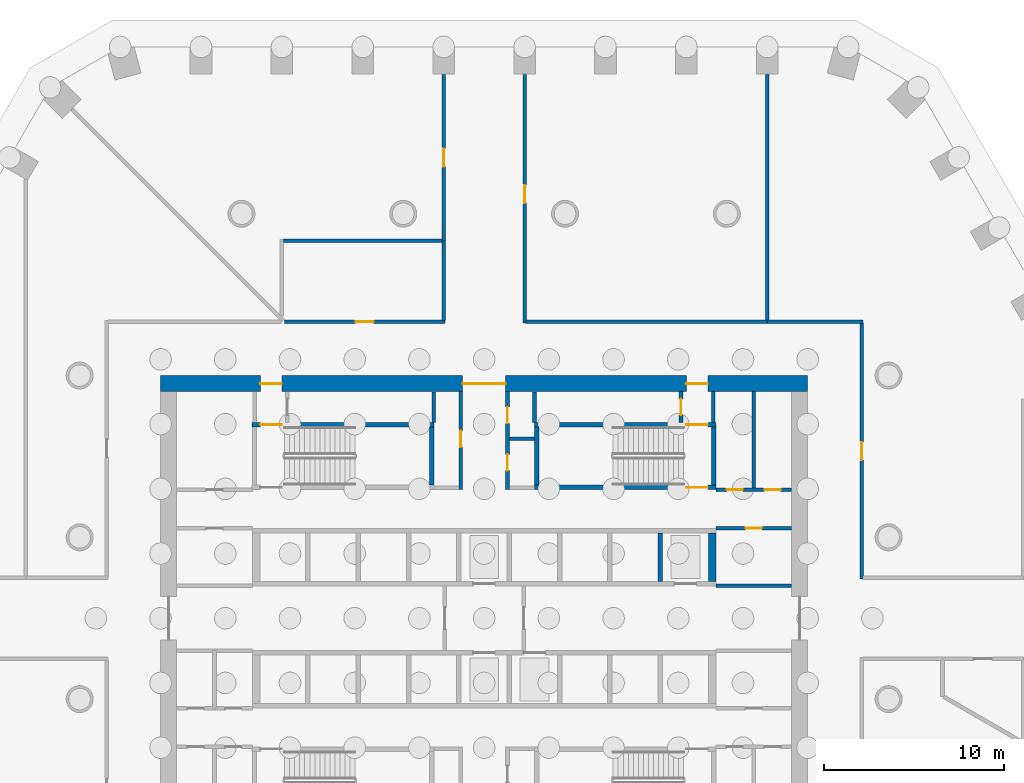
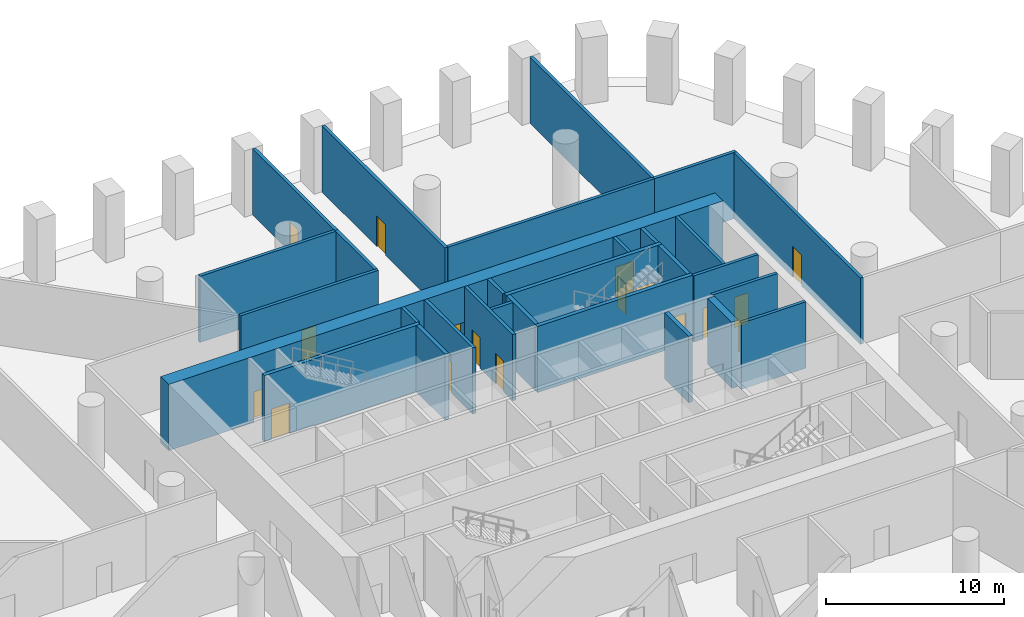
# One storey, part 6 of 9: 29 walls, 17 doors, 17 openings.
"""IFC4 building model written with IfcOpenShell, lengths in metres."""

from ifc_helpers import new_model, si_unit, direction, frame, frame_2d, origin, place, context, subcontext, project, spatial, polyline, rectangle, outline, extrude, material, layer, layer_set, type_object, element, fill, save


model = new_model("IFC4")

# Units and contexts
model_context = context("Model", 3, precision=1e-05, world=origin(), true_north=direction((0.0, 1.0)))
body_context = subcontext(model_context, "Body", "Model", "MODEL_VIEW")
ifc_project = project(units=[si_unit("LENGTHUNIT", "METRE"), si_unit("AREAUNIT", "SQUARE_METRE"), si_unit("VOLUMEUNIT", "CUBIC_METRE"), si_unit("PLANEANGLEUNIT", "RADIAN"), si_unit("MASSUNIT", "GRAM", prefix="KILO")], contexts=[model_context])

# Site, building, storey
site_placement = place(None, origin())
site = spatial("IfcSite", under=ifc_project, at=site_placement, CompositionType="ELEMENT")
building_placement = place(site_placement, origin())
building = spatial("IfcBuilding", under=site, at=building_placement, Name="Dhurran Vertical Campus", CompositionType="ELEMENT")
storey_placement = place(building_placement, frame((0.0, 0.0, -5.0)))
storey = spatial("IfcBuildingStorey", under=building, at=storey_placement, Name="B1", CompositionType="ELEMENT", Elevation=-5.0)

# Wall
ifc_material_1 = material(Name="Concrete blockwork plant room wall, fire-rated", Category="masonry")
ifc_layer_1 = layer(ifc_material_1, 0.199951171875)
ifc_layer_set_1 = layer_set([ifc_layer_1], Name="Concrete blockwork plant room wall, fire-rated")
wall_type_1 = type_object("IfcWallType", Name="bs-PW-200 plant room wall", PredefinedType="PARTITIONING", material=ifc_layer_set_1)
wall_1_placement = place(storey_placement, frame((-2.324951171875, 21.0, 0.0), z_axis=(0.0, 0.0, 1.0), x_axis=(-1.0, 0.0, 0.0)))
element("IfcWall", 1, at=wall_1_placement, inside=storey, type_object=wall_type_1, Name="Plant wall B1-19", PredefinedType="PARTITIONING", context=body_context, shape_type="SweptSolid", body=[
    extrude(rectangle(XDim=8.85009765625, YDim=0.199951171875, at=frame_2d((4.425048828125, 0.0))), origin(), (0.0, 0.0, 1.0), 4.550048828125),
])

# Wall, opening, door
wall_2_placement = place(storey_placement, frame((-2.175048828125, 16.5, 0.0), z_axis=(0.0, 0.0, 1.0), x_axis=(-1.0, 0.0, 0.0)))
wall_2 = element("IfcWall", 2, at=wall_2_placement, inside=storey, type_object=wall_type_1, Name="Plant wall B1-21", PredefinedType="PARTITIONING", context=body_context, shape_type="SweptSolid", body=[
    extrude(rectangle(XDim=8.94189453125, YDim=0.199951171875, at=frame_2d((4.470947265625, 0.0))), origin(), (0.0, 0.0, 1.0), 4.550048828125),
])
opening_1_placement = place(wall_2_placement, frame((3.970947265625, 0.0, 0.0)))
opening_1 = element("IfcOpeningElement", 3, at=opening_1_placement, cuts=wall_2, Name="Opening BS.09", PredefinedType="OPENING", context=body_context, shape_type="SweptSolid", body=[
    extrude(rectangle(XDim=1.0, YDim=2.10009765625, at=frame_2d((0.5, 1.050048828125))), frame((0.0, 0.10986328125, 0.0), z_axis=(0.0, -1.0, 0.0), x_axis=(1.0, 0.0, 0.0)), (0.0, 0.0, 1.0), 0.219970703125),
])
ifc_material_2 = material(Name="Solid-core timber door set, fire-rated", Category="wood")
door_type_1 = type_object("IfcDoorType", Name="fl-D-1000x2100", OperationType="SINGLE_SWING_LEFT", PredefinedType="DOOR", material=ifc_material_2)
door_1_placement = place(opening_1_placement, origin())
door_1 = element("IfcDoor", 4, at=door_1_placement, inside=storey, type_object=door_type_1, Name="Door B1.09", OperationType="SINGLE_SWING_RIGHT", OverallHeight=2.10009765625, OverallWidth=1.0, PredefinedType="DOOR", context=body_context, shape_type="SweptSolid", body=[
    extrude(rectangle(XDim=1.0, YDim=2.10009765625, at=frame_2d((0.5, 1.050048828125))), frame((0.0, 0.02490234375, 0.0), z_axis=(0.0, -1.0, 0.0), x_axis=(1.0, 0.0, 0.0)), (0.0, 0.0, 1.0), 0.050048828125),
])
fill(opening_1, door_1)

# Wall
wall_3_placement = place(storey_placement, frame((-2.25, 16.574951171875, 0.0), z_axis=(0.0, 0.0, 1.0), x_axis=(0.0, 1.0, 0.0)))
element("IfcWall", 5, at=wall_3_placement, inside=storey, type_object=wall_type_1, Name="Plant wall B1-27", PredefinedType="PARTITIONING", context=body_context, shape_type="SweptSolid", body=[
    extrude(rectangle(XDim=4.425048828125, YDim=0.199951171875, at=frame_2d((2.21240234375, 0.0))), origin(), (0.0, 0.0, 1.0), 4.550048828125),
])

# Wall, opening, door
wall_4_placement = place(storey_placement, frame((-2.25, 21.0, 0.0), z_axis=(0.0, 0.0, 1.0), x_axis=(0.0, 1.0, 0.0)))
wall_4 = element("IfcWall", 6, at=wall_4_placement, inside=storey, type_object=wall_type_1, Name="Plant wall B1-28", PredefinedType="PARTITIONING", context=body_context, shape_type="SweptSolid", body=[
    extrude(rectangle(XDim=9.259765625, YDim=0.199951171875, at=frame_2d((4.6298828125, 0.0))), origin(), (0.0, 0.0, 1.0), 4.550048828125),
])
opening_2_placement = place(wall_4_placement, frame((4.1298828125, 0.0, 0.0)))
opening_2 = element("IfcOpeningElement", 7, at=opening_2_placement, cuts=wall_4, Name="Opening BS.07", PredefinedType="OPENING", context=body_context, shape_type="SweptSolid", body=[
    extrude(rectangle(XDim=1.0, YDim=2.10009765625, at=frame_2d((0.5, 1.050048828125))), frame((0.0, 0.10986328125, 0.0), z_axis=(0.0, -1.0, 0.0), x_axis=(1.0, 0.0, 0.0)), (0.0, 0.0, 1.0), 0.219970703125),
])
door_2_placement = place(opening_2_placement, origin())
door_2 = element("IfcDoor", 8, at=door_2_placement, inside=storey, type_object=door_type_1, Name="Door B1.07", OperationType="SINGLE_SWING_RIGHT", OverallHeight=2.10009765625, OverallWidth=1.0, PredefinedType="DOOR", context=body_context, shape_type="SweptSolid", body=[
    extrude(rectangle(XDim=1.0, YDim=2.10009765625, at=frame_2d((0.5, 1.050048828125))), frame((0.0, 0.02490234375, 0.0), z_axis=(0.0, -1.0, 0.0), x_axis=(1.0, 0.0, 0.0)), (0.0, 0.0, 1.0), 0.050048828125),
])
fill(opening_2, door_2)

wall_5_placement = place(storey_placement, frame((2.25, 30.259765625, 0.0), z_axis=(0.0, 0.0, 1.0), x_axis=(0.0, -1.0, 0.0)))
wall_5 = element("IfcWall", 9, at=wall_5_placement, inside=storey, type_object=wall_type_1, Name="Plant wall B1-33", PredefinedType="PARTITIONING", context=body_context, shape_type="SweptSolid", body=[
    extrude(rectangle(XDim=13.834716796875, YDim=0.199951171875, at=frame_2d((6.91748046875, 0.0))), origin(), (0.0, 0.0, 1.0), 4.550048828125),
])
opening_3_placement = place(wall_5_placement, frame((6.16748046875, 0.0, 0.0)))
opening_3 = element("IfcOpeningElement", 10, at=opening_3_placement, cuts=wall_5, Name="Opening BS.12", PredefinedType="OPENING", context=body_context, shape_type="SweptSolid", body=[
    extrude(rectangle(XDim=1.0, YDim=2.10009765625, at=frame_2d((0.5, 1.050048828125))), frame((0.0, 0.10986328125, 0.0), z_axis=(0.0, -1.0, 0.0), x_axis=(1.0, 0.0, 0.0)), (0.0, 0.0, 1.0), 0.219970703125),
])
door_3_placement = place(opening_3_placement, origin())
door_3 = element("IfcDoor", 11, at=door_3_placement, inside=storey, type_object=door_type_1, Name="Door B1.12", OperationType="SINGLE_SWING_RIGHT", OverallHeight=2.10009765625, OverallWidth=1.0, PredefinedType="DOOR", context=body_context, shape_type="SweptSolid", body=[
    extrude(rectangle(XDim=1.0, YDim=2.10009765625, at=frame_2d((0.5, 1.050048828125))), frame((0.0, 0.02490234375, 0.0), z_axis=(0.0, -1.0, 0.0), x_axis=(1.0, 0.0, 0.0)), (0.0, 0.0, 1.0), 0.050048828125),
])
fill(opening_3, door_3)

# Walls
wall_6_placement = place(storey_placement, frame((15.75, 16.5, 0.0), z_axis=(0.0, 0.0, 1.0), x_axis=(-1.0, 0.0, 0.0)))
element("IfcWall", 12, at=wall_6_placement, inside=storey, type_object=wall_type_1, Name="Plant wall B1-34", PredefinedType="PARTITIONING", context=body_context, shape_type="SweptSolid", body=[
    extrude(rectangle(XDim=13.425048828125, YDim=0.199951171875, at=frame_2d((6.71240234375, 0.0))), origin(), (0.0, 0.0, 1.0), 4.550048828125),
])
wall_7_placement = place(storey_placement, frame((15.75, 30.259765625, 0.0), z_axis=(0.0, 0.0, 1.0), x_axis=(0.0, -1.0, 0.0)))
element("IfcWall", 13, at=wall_7_placement, inside=storey, type_object=wall_type_1, Name="Plant wall B1-37", PredefinedType="PARTITIONING", context=body_context, shape_type="SweptSolid", body=[
    extrude(rectangle(XDim=13.684814453125, YDim=0.199951171875, at=frame_2d((6.84228515625, 0.0))), origin(), (0.0, 0.0, 1.0), 4.550048828125),
])
wall_8_placement = place(storey_placement, frame((21.074951171875, 16.5, 0.0), z_axis=(0.0, 0.0, 1.0), x_axis=(-1.0, 0.0, 0.0)))
element("IfcWall", 14, at=wall_8_placement, inside=storey, type_object=wall_type_1, Name="Plant wall B1-38", PredefinedType="PARTITIONING", context=body_context, shape_type="SweptSolid", body=[
    extrude(rectangle(XDim=5.324951171875, YDim=0.199951171875, at=frame_2d((2.66259765625, 0.0))), origin(), (0.0, 0.0, 1.0), 4.550048828125),
])

# Wall, opening, door
wall_9_placement = place(storey_placement, frame((21.0, 2.175048828125, 0.0), z_axis=(0.0, 0.0, 1.0), x_axis=(0.0, 1.0, 0.0)))
wall_9 = element("IfcWall", 15, at=wall_9_placement, inside=storey, type_object=wall_type_1, Name="Plant wall B1-45", PredefinedType="PARTITIONING", context=body_context, shape_type="SweptSolid", body=[
    extrude(rectangle(XDim=14.25, YDim=0.199951171875, at=frame_2d((7.125, 0.0))), origin(), (0.0, 0.0, 1.0), 4.550048828125),
])
opening_4_placement = place(wall_9_placement, frame((6.625, 0.0, 0.0)))
opening_4 = element("IfcOpeningElement", 16, at=opening_4_placement, cuts=wall_9, Name="Opening BS.15", PredefinedType="OPENING", context=body_context, shape_type="SweptSolid", body=[
    extrude(rectangle(XDim=1.0, YDim=2.10009765625, at=frame_2d((0.5, 1.050048828125))), frame((0.0, 0.10986328125, 0.0), z_axis=(0.0, -1.0, 0.0), x_axis=(1.0, 0.0, 0.0)), (0.0, 0.0, 1.0), 0.219970703125),
])
door_4_placement = place(opening_4_placement, origin())
door_4 = element("IfcDoor", 17, at=door_4_placement, inside=storey, type_object=door_type_1, Name="Door B1.15", OperationType="SINGLE_SWING_LEFT", OverallHeight=2.10009765625, OverallWidth=1.0, PredefinedType="DOOR", context=body_context, shape_type="SweptSolid", body=[
    extrude(rectangle(XDim=1.0, YDim=2.10009765625, at=frame_2d((0.5, 1.050048828125))), frame((0.0, 0.02490234375, 0.0), z_axis=(0.0, -1.0, 0.0), x_axis=(1.0, 0.0, 0.0)), (0.0, 0.0, 1.0), 0.050048828125),
])
fill(opening_4, door_4)

# Wall, openings, doors
ifc_material_3 = material(Name="Concrete C60/75", Category="concrete")
ifc_layer_2 = layer(ifc_material_3, 0.89990234375)
ifc_layer_set_2 = layer_set([ifc_layer_2], Name="Concrete C60/75")
wall_type_2 = type_object("IfcWallType", Name="co-CORE-WALL-C0-900", PredefinedType="SHEAR", material=ifc_layer_set_2)
wall_10_placement = place(storey_placement, frame((-18.0, 13.050048828125, 0.0), z_axis=(0.0, 0.0, 1.0), x_axis=(1.0, 0.0, 0.0)))
wall_10 = element("IfcWall", 18, at=wall_10_placement, inside=storey, type_object=wall_type_2, Name="Core wall N B1", PredefinedType="SHEAR", context=body_context, shape_type="SweptSolid", body=[
    extrude(rectangle(XDim=36.0, YDim=0.89990234375, at=frame_2d((18.0, 0.0))), origin(), (0.0, 0.0, 1.0), 4.550048828125),
])
opening_5_placement = place(wall_10_placement, frame((16.800048828125, 0.0, 0.0)))
opening_5 = element("IfcOpeningElement", 19, at=opening_5_placement, cuts=wall_10, Name="Opening CV1", PredefinedType="OPENING", context=body_context, shape_type="SweptSolid", body=[
    extrude(rectangle(XDim=2.39990234375, YDim=2.10009765625, at=frame_2d((1.199951171875, 1.050048828125))), frame((0.0, 0.4599609375, 0.0), z_axis=(0.0, -1.0, 0.0), x_axis=(1.0, 0.0, 0.0)), (0.0, 0.0, 1.0), 0.919921875),
])
opening_6_placement = place(wall_10_placement, frame((5.550048828125, 0.0, 0.0)))
opening_6 = element("IfcOpeningElement", 20, at=opening_6_placement, cuts=wall_10, Name="Opening XD1", PredefinedType="OPENING", context=body_context, shape_type="SweptSolid", body=[
    extrude(rectangle(XDim=1.199951171875, YDim=2.10009765625, at=frame_2d((0.60009765625, 1.050048828125))), frame((0.0, 0.4599609375, 0.0), z_axis=(0.0, -1.0, 0.0), x_axis=(1.0, 0.0, 0.0)), (0.0, 0.0, 1.0), 0.919921875),
])
opening_7_placement = place(wall_10_placement, frame((29.25, 0.0, 0.0)))
opening_7 = element("IfcOpeningElement", 21, at=opening_7_placement, cuts=wall_10, Name="Opening XD2", PredefinedType="OPENING", context=body_context, shape_type="SweptSolid", body=[
    extrude(rectangle(XDim=1.199951171875, YDim=2.10009765625, at=frame_2d((0.60009765625, 1.050048828125))), frame((0.0, 0.4599609375, 0.0), z_axis=(0.0, -1.0, 0.0), x_axis=(1.0, 0.0, 0.0)), (0.0, 0.0, 1.0), 0.919921875),
])
ifc_material_4 = material(Name="Fire-rated glazed door set")
door_type_2 = type_object("IfcDoorType", Name="co-D-LOBBY 2400x2100", OperationType="DOUBLE_DOOR_DOUBLE_SWING", PredefinedType="DOOR", material=ifc_material_4)
door_5_placement = place(opening_5_placement, origin())
door_5 = element("IfcDoor", 22, at=door_5_placement, inside=storey, type_object=door_type_2, Name="Core vestibule door N B1", OperationType="DOUBLE_DOOR_DOUBLE_SWING", OverallHeight=2.10009765625, OverallWidth=2.39990234375, PredefinedType="DOOR", context=body_context, shape_type="SweptSolid", body=[
    extrude(rectangle(XDim=2.39990234375, YDim=2.10009765625, at=frame_2d((1.199951171875, 1.050048828125))), frame((0.0, 0.02490234375, 0.0), z_axis=(0.0, -1.0, 0.0), x_axis=(1.0, 0.0, 0.0)), (0.0, 0.0, 1.0), 0.050048828125),
])
fill(opening_5, door_5)
ifc_material_5 = material(Name="Fire-rated steel door set", Category="steel")
door_type_3 = type_object("IfcDoorType", Name="co-D-STAIR-EXIT 1200x2100", OperationType="SINGLE_SWING_RIGHT", PredefinedType="DOOR", material=ifc_material_5)
door_6_placement = place(opening_6_placement, origin())
door_6 = element("IfcDoor", 23, at=door_6_placement, inside=storey, type_object=door_type_3, Name="Stair ST1 exit door B1", OperationType="SINGLE_SWING_RIGHT", OverallHeight=2.10009765625, OverallWidth=1.199951171875, PredefinedType="DOOR", context=body_context, shape_type="SweptSolid", body=[
    extrude(rectangle(XDim=1.199951171875, YDim=2.10009765625, at=frame_2d((0.60009765625, 1.050048828125))), frame((0.0, 0.02490234375, 0.0), z_axis=(0.0, -1.0, 0.0), x_axis=(1.0, 0.0, 0.0)), (0.0, 0.0, 1.0), 0.050048828125),
])
fill(opening_6, door_6)
door_7_placement = place(opening_7_placement, origin())
door_7 = element("IfcDoor", 24, at=door_7_placement, inside=storey, type_object=door_type_3, Name="Stair ST2 exit door B1", OperationType="SINGLE_SWING_RIGHT", OverallHeight=2.10009765625, OverallWidth=1.199951171875, PredefinedType="DOOR", context=body_context, shape_type="SweptSolid", body=[
    extrude(rectangle(XDim=1.199951171875, YDim=2.10009765625, at=frame_2d((0.60009765625, 1.050048828125))), frame((0.0, 0.02490234375, 0.0), z_axis=(0.0, -1.0, 0.0), x_axis=(1.0, 0.0, 0.0)), (0.0, 0.0, 1.0), 0.050048828125),
])
fill(opening_7, door_7)

# Wall
ifc_material_6 = material(Name="Fire-rated masonry blockwork", Category="masonry")
ifc_layer_3 = layer(ifc_material_6, 0.199951171875)
ifc_layer_set_3 = layer_set([ifc_layer_3], Name="Fire-rated masonry blockwork")
wall_type_3 = type_object("IfcWallType", Name="co-FIRE-PARTITION-200", PredefinedType="PARTITIONING", material=ifc_layer_set_3)
wall_11_placement = place(storey_placement, frame((1.39990234375, 9.97509765625, 0.0), z_axis=(0.0, 0.0, 1.0), x_axis=(1.0, 0.0, 0.0)))
element("IfcWall", 25, at=wall_11_placement, inside=storey, type_object=wall_type_3, Name="Core partition sl-NE-cut0 B1", PredefinedType="PARTITIONING", context=body_context, shape_type="SweptSolid", body=[
    extrude(rectangle(XDim=1.400146484375, YDim=0.199951171875, at=frame_2d((0.7001953125, 0.0))), origin(), (0.0, 0.0, 1.0), 4.550048828125),
])

# Wall, opening, door
wall_12_placement = place(storey_placement, frame((-1.300048828125, 7.14990234375, 0.0), z_axis=(0.0, 0.0, 1.0), x_axis=(0.0, 1.0, 0.0)))
wall_12 = element("IfcWall", 26, at=wall_12_placement, inside=storey, type_object=wall_type_3, Name="Core partition vest-NW B1", PredefinedType="PARTITIONING", context=body_context, shape_type="SweptSolid", body=[
    extrude(rectangle(XDim=5.4501953125, YDim=0.199951171875, at=frame_2d((2.72509765625, 0.0))), origin(), (0.0, 0.0, 1.0), 4.550048828125),
])
opening_8_placement = place(wall_12_placement, frame((2.375, 0.0, 0.0)))
opening_8 = element("IfcOpeningElement", 27, at=opening_8_placement, cuts=wall_12, Name="Opening BSMT-C4", PredefinedType="OPENING", context=body_context, shape_type="SweptSolid", body=[
    extrude(rectangle(XDim=0.89990234375, YDim=2.10009765625, at=frame_2d((0.449951171875, 1.050048828125))), frame((0.0, 0.10986328125, 0.0), z_axis=(0.0, -1.0, 0.0), x_axis=(1.0, 0.0, 0.0)), (0.0, 0.0, 1.0), 0.219970703125),
])
ifc_material_7 = material(Name="Fire-rated timber door set", Category="wood")
door_type_4 = type_object("IfcDoorType", Name="co-D-ROOM 900x2100", OperationType="SINGLE_SWING_LEFT", PredefinedType="DOOR", material=ifc_material_7)
door_8_placement = place(opening_8_placement, origin())
door_8 = element("IfcDoor", 28, at=door_8_placement, inside=storey, type_object=door_type_4, Name="Store door B1", OperationType="SINGLE_SWING_LEFT", OverallHeight=2.10009765625, OverallWidth=0.89990234375, PredefinedType="DOOR", context=body_context, shape_type="SweptSolid", body=[
    extrude(rectangle(XDim=0.89990234375, YDim=2.10009765625, at=frame_2d((0.449951171875, 1.050048828125))), frame((0.0, 0.02490234375, 0.0), z_axis=(0.0, -1.0, 0.0), x_axis=(1.0, 0.0, 0.0)), (0.0, 0.0, 1.0), 0.050048828125),
])
fill(opening_8, door_8)

# Wall, openings, doors
wall_13_placement = place(storey_placement, frame((1.300048828125, 7.14990234375, 0.0), z_axis=(0.0, 0.0, 1.0), x_axis=(0.0, 1.0, 0.0)))
wall_13 = element("IfcWall", 29, at=wall_13_placement, inside=storey, type_object=wall_type_3, Name="Core partition vest-NE B1", PredefinedType="PARTITIONING", context=body_context, shape_type="SweptSolid", body=[
    extrude(rectangle(XDim=5.4501953125, YDim=0.199951171875, at=frame_2d((2.72509765625, 0.0))), origin(), (0.0, 0.0, 1.0), 4.550048828125),
])
opening_9_placement = place(wall_13_placement, frame((1.0625, 0.0, 0.0)))
opening_9 = element("IfcOpeningElement", 30, at=opening_9_placement, cuts=wall_13, Name="Opening BSMT-C5", PredefinedType="OPENING", context=body_context, shape_type="SweptSolid", body=[
    extrude(rectangle(XDim=0.89990234375, YDim=2.10009765625, at=frame_2d((0.449951171875, 1.050048828125))), frame((0.0, 0.10986328125, 0.0), z_axis=(0.0, -1.0, 0.0), x_axis=(1.0, 0.0, 0.0)), (0.0, 0.0, 1.0), 0.219970703125),
])
opening_10_placement = place(wall_13_placement, frame((3.6875, 0.0, 0.0)))
opening_10 = element("IfcOpeningElement", 31, at=opening_10_placement, cuts=wall_13, Name="Opening BSMT-C6", PredefinedType="OPENING", context=body_context, shape_type="SweptSolid", body=[
    extrude(rectangle(XDim=0.89990234375, YDim=2.10009765625, at=frame_2d((0.449951171875, 1.050048828125))), frame((0.0, 0.10986328125, 0.0), z_axis=(0.0, -1.0, 0.0), x_axis=(1.0, 0.0, 0.0)), (0.0, 0.0, 1.0), 0.219970703125),
])
door_9_placement = place(opening_9_placement, origin())
door_9 = element("IfcDoor", 32, at=door_9_placement, inside=storey, type_object=door_type_4, Name="Waste room door B1", OperationType="SINGLE_SWING_LEFT", OverallHeight=2.10009765625, OverallWidth=0.89990234375, PredefinedType="DOOR", context=body_context, shape_type="SweptSolid", body=[
    extrude(rectangle(XDim=0.89990234375, YDim=2.10009765625, at=frame_2d((0.449951171875, 1.050048828125))), frame((0.0, 0.02490234375, 0.0), z_axis=(0.0, -1.0, 0.0), x_axis=(1.0, 0.0, 0.0)), (0.0, 0.0, 1.0), 0.050048828125),
])
fill(opening_9, door_9)
door_10_placement = place(opening_10_placement, origin())
door_10 = element("IfcDoor", 33, at=door_10_placement, inside=storey, type_object=door_type_4, Name="Electrical riser door B1", OperationType="SINGLE_SWING_LEFT", OverallHeight=2.10009765625, OverallWidth=0.89990234375, PredefinedType="DOOR", context=body_context, shape_type="SweptSolid", body=[
    extrude(rectangle(XDim=0.89990234375, YDim=2.10009765625, at=frame_2d((0.449951171875, 1.050048828125))), frame((0.0, 0.02490234375, 0.0), z_axis=(0.0, -1.0, 0.0), x_axis=(1.0, 0.0, 0.0)), (0.0, 0.0, 1.0), 0.050048828125),
])
fill(opening_10, door_10)

# Wall
wall_14_placement = place(storey_placement, frame((12.75, 10.89990234375, 0.0), z_axis=(0.0, 0.0, 1.0), x_axis=(0.0, 1.0, 0.0)))
element("IfcWall", 34, at=wall_14_placement, inside=storey, type_object=wall_type_3, Name="Core partition pass-ST2-o B1", PredefinedType="PARTITIONING", context=body_context, shape_type="SweptSolid", body=[
    extrude(rectangle(XDim=1.7001953125, YDim=0.199951171875, at=frame_2d((0.85009765625, 0.0))), origin(), (0.0, 0.0, 1.0), 4.550048828125),
])

# Wall, opening, door
wall_15_placement = place(storey_placement, frame((10.949951171875, 10.89990234375, 0.0), z_axis=(0.0, 0.0, 1.0), x_axis=(0.0, 1.0, 0.0)))
wall_15 = element("IfcWall", 35, at=wall_15_placement, inside=storey, type_object=wall_type_3, Name="Core partition pass-ST2-i B1", PredefinedType="PARTITIONING", context=body_context, shape_type="SweptSolid", body=[
    extrude(rectangle(XDim=1.7001953125, YDim=0.199951171875, at=frame_2d((0.85009765625, 0.0))), origin(), (0.0, 0.0, 1.0), 4.550048828125),
])
opening_11_placement = place(wall_15_placement, frame((0.39990234375, 0.0, 0.0)))
opening_11 = element("IfcOpeningElement", 36, at=opening_11_placement, cuts=wall_15, Name="Opening BSMT-C8", PredefinedType="OPENING", context=body_context, shape_type="SweptSolid", body=[
    extrude(rectangle(XDim=0.89990234375, YDim=2.10009765625, at=frame_2d((0.449951171875, 1.050048828125))), frame((0.0, 0.10986328125, 0.0), z_axis=(0.0, -1.0, 0.0), x_axis=(1.0, 0.0, 0.0)), (0.0, 0.0, 1.0), 0.219970703125),
])
door_11_placement = place(opening_11_placement, origin())
door_11 = element("IfcDoor", 37, at=door_11_placement, inside=storey, type_object=door_type_4, Name="Riser room door B1", OperationType="SINGLE_SWING_LEFT", OverallHeight=2.10009765625, OverallWidth=0.89990234375, PredefinedType="DOOR", context=body_context, shape_type="SweptSolid", body=[
    extrude(rectangle(XDim=0.89990234375, YDim=2.10009765625, at=frame_2d((0.449951171875, 1.050048828125))), frame((0.0, 0.02490234375, 0.0), z_axis=(0.0, -1.0, 0.0), x_axis=(1.0, 0.0, 0.0)), (0.0, 0.0, 1.0), 0.050048828125),
])
fill(opening_11, door_11)

# Wall
wall_16_placement = place(storey_placement, frame((15.0, 7.14990234375, 0.0), z_axis=(0.0, 0.0, 1.0), x_axis=(0.0, 1.0, 0.0)))
element("IfcWall", 38, at=wall_16_placement, inside=storey, type_object=wall_type_3, Name="Core partition en-NE-cut0 B1", PredefinedType="PARTITIONING", context=body_context, shape_type="SweptSolid", body=[
    extrude(rectangle(XDim=5.4501953125, YDim=0.199951171875, at=frame_2d((2.72509765625, 0.0))), origin(), (0.0, 0.0, 1.0), 4.550048828125),
])

# Wall, openings, doors
wall_17_placement = place(storey_placement, frame((12.89990234375, 7.14990234375, 0.0), z_axis=(0.0, 0.0, 1.0), x_axis=(1.0, 0.0, 0.0)))
wall_17 = element("IfcWall", 39, at=wall_17_placement, inside=storey, type_object=wall_type_3, Name="Core partition en-NE-w B1", PredefinedType="PARTITIONING", context=body_context, shape_type="SweptSolid", body=[
    extrude(rectangle(XDim=4.2001953125, YDim=0.199951171875, at=frame_2d((2.10009765625, 0.0))), origin(), (0.0, 0.0, 1.0), 4.550048828125),
])
opening_12_placement = place(wall_17_placement, frame((0.60009765625, 0.0, 0.0)))
opening_12 = element("IfcOpeningElement", 40, at=opening_12_placement, cuts=wall_17, Name="Opening BSMT-C13", PredefinedType="OPENING", context=body_context, shape_type="SweptSolid", body=[
    extrude(rectangle(XDim=0.89990234375, YDim=2.10009765625, at=frame_2d((0.449951171875, 1.050048828125))), frame((0.0, 0.10986328125, 0.0), z_axis=(0.0, -1.0, 0.0), x_axis=(1.0, 0.0, 0.0)), (0.0, 0.0, 1.0), 0.219970703125),
])
opening_13_placement = place(wall_17_placement, frame((2.699951171875, 0.0, 0.0)))
opening_13 = element("IfcOpeningElement", 41, at=opening_13_placement, cuts=wall_17, Name="Opening BSMT-C14", PredefinedType="OPENING", context=body_context, shape_type="SweptSolid", body=[
    extrude(rectangle(XDim=0.89990234375, YDim=2.10009765625, at=frame_2d((0.449951171875, 1.050048828125))), frame((0.0, 0.10986328125, 0.0), z_axis=(0.0, -1.0, 0.0), x_axis=(1.0, 0.0, 0.0)), (0.0, 0.0, 1.0), 0.219970703125),
])
door_12_placement = place(opening_12_placement, origin())
door_12 = element("IfcDoor", 42, at=door_12_placement, inside=storey, type_object=door_type_4, Name="Cleaner's store door B1", OperationType="SINGLE_SWING_LEFT", OverallHeight=2.10009765625, OverallWidth=0.89990234375, PredefinedType="DOOR", context=body_context, shape_type="SweptSolid", body=[
    extrude(rectangle(XDim=0.89990234375, YDim=2.10009765625, at=frame_2d((0.449951171875, 1.050048828125))), frame((0.0, 0.02490234375, 0.0), z_axis=(0.0, -1.0, 0.0), x_axis=(1.0, 0.0, 0.0)), (0.0, 0.0, 1.0), 0.050048828125),
])
fill(opening_12, door_12)
door_13_placement = place(opening_13_placement, origin())
door_13 = element("IfcDoor", 43, at=door_13_placement, inside=storey, type_object=door_type_4, Name="Print room door B1", OperationType="SINGLE_SWING_LEFT", OverallHeight=2.10009765625, OverallWidth=0.89990234375, PredefinedType="DOOR", context=body_context, shape_type="SweptSolid", body=[
    extrude(rectangle(XDim=0.89990234375, YDim=2.10009765625, at=frame_2d((0.449951171875, 1.050048828125))), frame((0.0, 0.02490234375, 0.0), z_axis=(0.0, -1.0, 0.0), x_axis=(1.0, 0.0, 0.0)), (0.0, 0.0, 1.0), 0.050048828125),
])
fill(opening_13, door_13)

# Wall, opening, door
wall_18_placement = place(storey_placement, frame((12.89990234375, 5.0, 0.0), z_axis=(0.0, 0.0, 1.0), x_axis=(1.0, 0.0, 0.0)))
wall_18 = element("IfcWall", 44, at=wall_18_placement, inside=storey, type_object=wall_type_3, Name="Core partition es-NE-w B1", PredefinedType="PARTITIONING", context=body_context, shape_type="SweptSolid", body=[
    extrude(rectangle(XDim=4.2001953125, YDim=0.199951171875, at=frame_2d((2.10009765625, 0.0))), origin(), (0.0, 0.0, 1.0), 4.550048828125),
])
opening_14_placement = place(wall_18_placement, frame((1.64990234375, 0.0, 0.0)))
opening_14 = element("IfcOpeningElement", 45, at=opening_14_placement, cuts=wall_18, Name="Opening BSMT-C15", PredefinedType="OPENING", context=body_context, shape_type="SweptSolid", body=[
    extrude(rectangle(XDim=0.89990234375, YDim=2.10009765625, at=frame_2d((0.449951171875, 1.050048828125))), frame((0.0, 0.10986328125, 0.0), z_axis=(0.0, -1.0, 0.0), x_axis=(1.0, 0.0, 0.0)), (0.0, 0.0, 1.0), 0.219970703125),
])
door_14_placement = place(opening_14_placement, origin())
door_14 = element("IfcDoor", 46, at=door_14_placement, inside=storey, type_object=door_type_4, Name="Server room door B1", OperationType="SINGLE_SWING_LEFT", OverallHeight=2.10009765625, OverallWidth=0.89990234375, PredefinedType="DOOR", context=body_context, shape_type="SweptSolid", body=[
    extrude(rectangle(XDim=0.89990234375, YDim=2.10009765625, at=frame_2d((0.449951171875, 1.050048828125))), frame((0.0, 0.02490234375, 0.0), z_axis=(0.0, -1.0, 0.0), x_axis=(1.0, 0.0, 0.0)), (0.0, 0.0, 1.0), 0.050048828125),
])
fill(opening_14, door_14)

# Walls
wall_19_placement = place(storey_placement, frame((12.89990234375, 1.800048828125, 0.0), z_axis=(0.0, 0.0, 1.0), x_axis=(1.0, 0.0, 0.0)))
element("IfcWall", 47, at=wall_19_placement, inside=storey, type_object=wall_type_3, Name="Core partition es-NE-l B1", PredefinedType="PARTITIONING", context=body_context, shape_type="SweptSolid", body=[
    extrude(rectangle(XDim=4.2001953125, YDim=0.199951171875, at=frame_2d((2.10009765625, 0.0))), origin(), (0.0, 0.0, 1.0), 4.550048828125),
])
for number, where, z_axis, x_axis, name in (
    (48, (-2.800048828125, 10.90087890625, 0.0), (0.0, 0.0, 1.0), (0.0, 1.0, 0.0), "Riser enclosure wall B1"),
    (49, (2.800048828125, 10.90087890625, 0.0), (0.0, 0.0, 1.0), (0.0, 1.0, 0.0), "Riser enclosure wall B1"),
):
    element("IfcWall", number, at=place(storey_placement, frame(where, z_axis=z_axis, x_axis=x_axis)), inside=storey, type_object=wall_type_3, Name=name, PredefinedType="PARTITIONING", context=body_context, shape_type="SweptSolid", body=[
        extrude(rectangle(XDim=1.6982421875, YDim=0.199951171875, at=frame_2d((0.84912109375, 0.0))), origin(), (0.0, 0.0, 1.0), 4.550048828125),
    ])
ifc_material_8 = material(Name="Concrete C50/60", Category="concrete")
ifc_layer_4 = layer(ifc_material_8, 0.25)
ifc_layer_set_4 = layer_set([ifc_layer_4], Name="Concrete C50/60")
wall_type_4 = type_object("IfcWallType", Name="co-SHAFT-MASS-250", PredefinedType="SHEAR", material=ifc_layer_set_4)
wall_20_placement = place(storey_placement, origin())
element("IfcWall", 50, at=wall_20_placement, inside=storey, type_object=wall_type_4, Name="Lift shaft wall N B1 10", PredefinedType="SHEAR", context=body_context, shape_type="SweptSolid", body=[
    extrude(outline(polyline([(9.675048828125, 2.050048828125), (9.925048828125, 2.050048828125), (9.925048828125, 4.75), (9.675048828125, 4.75), (9.675048828125, 2.050048828125)])), origin(), (0.0, 0.0, 1.0), 4.550048828125),
])
wall_21_placement = place(storey_placement, origin())
element("IfcWall", 51, at=wall_21_placement, inside=storey, type_object=wall_type_4, Name="Lift shaft wall N B1 11", PredefinedType="SHEAR", context=body_context, shape_type="SweptSolid", body=[
    extrude(outline(polyline([(12.47509765625, 2.050048828125), (12.89990234375, 2.050048828125), (12.89990234375, 4.75), (12.47509765625, 4.75), (12.47509765625, 2.050048828125)])), origin(), (0.0, 0.0, 1.0), 4.550048828125),
])

# Wall, opening, door
ifc_material_9 = material(Name="Concrete C40/50", Category="concrete")
ifc_layer_5 = layer(ifc_material_9, 0.25)
ifc_layer_set_5 = layer_set([ifc_layer_5], Name="Concrete C40/50")
wall_type_5 = type_object("IfcWallType", Name="co-STAIR-WALL-250", PredefinedType="SHEAR", material=ifc_layer_set_5)
wall_22_placement = place(storey_placement, frame((-12.89990234375, 10.77490234375, 0.0), z_axis=(0.0, 0.0, 1.0), x_axis=(1.0, 0.0, 0.0)))
wall_22 = element("IfcWall", 52, at=wall_22_placement, inside=storey, type_object=wall_type_5, Name="Stair ST1 enclosure wall B1", PredefinedType="SHEAR", context=body_context, shape_type="SweptSolid", body=[
    extrude(rectangle(XDim=10.099853515625, YDim=0.25, at=frame_2d((5.0498046875, 0.0))), origin(), (0.0, 0.0, 1.0), 4.550048828125),
])
opening_15_placement = place(wall_22_placement, frame((0.449951171875, 0.0, 0.0)))
opening_15 = element("IfcOpeningElement", 53, at=opening_15_placement, cuts=wall_22, Name="Opening XS1", PredefinedType="OPENING", context=body_context, shape_type="SweptSolid", body=[
    extrude(rectangle(XDim=1.199951171875, YDim=2.10009765625, at=frame_2d((0.60009765625, 1.050048828125))), frame((0.0, 0.135009765625, 0.0), z_axis=(0.0, -1.0, 0.0), x_axis=(1.0, 0.0, 0.0)), (0.0, 0.0, 1.0), 0.27001953125),
])
door_15_placement = place(opening_15_placement, origin())
door_15 = element("IfcDoor", 54, at=door_15_placement, inside=storey, type_object=door_type_3, Name="Stair ST1 discharge door B1", OperationType="SINGLE_SWING_RIGHT", OverallHeight=2.10009765625, OverallWidth=1.199951171875, PredefinedType="DOOR", context=body_context, shape_type="SweptSolid", body=[
    extrude(rectangle(XDim=1.199951171875, YDim=2.10009765625, at=frame_2d((0.60009765625, 1.050048828125))), frame((0.0, 0.02490234375, 0.0), z_axis=(0.0, -1.0, 0.0), x_axis=(1.0, 0.0, 0.0)), (0.0, 0.0, 1.0), 0.050048828125),
])
fill(opening_15, door_15)

# Wall
wall_23_placement = place(storey_placement, frame((-2.925048828125, 7.39990234375, 0.0), z_axis=(0.0, 0.0, 1.0), x_axis=(0.0, 1.0, 0.0)))
element("IfcWall", 55, at=wall_23_placement, inside=storey, type_object=wall_type_5, Name="Stair ST1 enclosure wall B1", PredefinedType="SHEAR", context=body_context, shape_type="SweptSolid", body=[
    extrude(rectangle(XDim=3.25, YDim=0.25, at=frame_2d((1.625, 0.0))), origin(), (0.0, 0.0, 1.0), 4.550048828125),
])

# Wall, opening, door
wall_24_placement = place(storey_placement, frame((2.800048828125, 7.27490234375, 0.0), z_axis=(0.0, 0.0, 1.0), x_axis=(1.0, 0.0, 0.0)))
wall_24 = element("IfcWall", 56, at=wall_24_placement, inside=storey, type_object=wall_type_5, Name="Stair ST2 enclosure wall B1", PredefinedType="SHEAR", context=body_context, shape_type="SweptSolid", body=[
    extrude(rectangle(XDim=10.099853515625, YDim=0.25, at=frame_2d((5.0498046875, 0.0))), origin(), (0.0, 0.0, 1.0), 4.550048828125),
])
opening_16_placement = place(wall_24_placement, frame((8.449951171875, 0.0, 0.0)))
opening_16 = element("IfcOpeningElement", 57, at=opening_16_placement, cuts=wall_24, Name="Opening SD2", PredefinedType="OPENING", context=body_context, shape_type="SweptSolid", body=[
    extrude(rectangle(XDim=1.199951171875, YDim=2.10009765625, at=frame_2d((0.60009765625, 1.050048828125))), frame((0.0, 0.135009765625, 0.0), z_axis=(0.0, -1.0, 0.0), x_axis=(1.0, 0.0, 0.0)), (0.0, 0.0, 1.0), 0.27001953125),
])
ifc_material_10 = material(Name="Fire-rated steel door set", Category="steel")
door_type_5 = type_object("IfcDoorType", Name="co-D-STAIR 1200x2100", OperationType="SINGLE_SWING_LEFT", PredefinedType="DOOR", material=ifc_material_10)
door_16_placement = place(opening_16_placement, origin())
door_16 = element("IfcDoor", 58, at=door_16_placement, inside=storey, type_object=door_type_5, Name="Stair ST2 door B1", OperationType="SINGLE_SWING_LEFT", OverallHeight=2.10009765625, OverallWidth=1.199951171875, PredefinedType="DOOR", context=body_context, shape_type="SweptSolid", body=[
    extrude(rectangle(XDim=1.199951171875, YDim=2.10009765625, at=frame_2d((0.60009765625, 1.050048828125))), frame((0.0, 0.02490234375, 0.0), z_axis=(0.0, -1.0, 0.0), x_axis=(1.0, 0.0, 0.0)), (0.0, 0.0, 1.0), 0.050048828125),
])
fill(opening_16, door_16)

wall_25_placement = place(storey_placement, frame((2.800048828125, 10.77490234375, 0.0), z_axis=(0.0, 0.0, 1.0), x_axis=(1.0, 0.0, 0.0)))
wall_25 = element("IfcWall", 59, at=wall_25_placement, inside=storey, type_object=wall_type_5, Name="Stair ST2 enclosure wall B1", PredefinedType="SHEAR", context=body_context, shape_type="SweptSolid", body=[
    extrude(rectangle(XDim=10.099853515625, YDim=0.25, at=frame_2d((5.0498046875, 0.0))), origin(), (0.0, 0.0, 1.0), 4.550048828125),
])
opening_17_placement = place(wall_25_placement, frame((8.449951171875, 0.0, 0.0)))
opening_17 = element("IfcOpeningElement", 60, at=opening_17_placement, cuts=wall_25, Name="Opening XS2", PredefinedType="OPENING", context=body_context, shape_type="SweptSolid", body=[
    extrude(rectangle(XDim=1.199951171875, YDim=2.10009765625, at=frame_2d((0.60009765625, 1.050048828125))), frame((0.0, 0.135009765625, 0.0), z_axis=(0.0, -1.0, 0.0), x_axis=(1.0, 0.0, 0.0)), (0.0, 0.0, 1.0), 0.27001953125),
])
door_17_placement = place(opening_17_placement, origin())
door_17 = element("IfcDoor", 61, at=door_17_placement, inside=storey, type_object=door_type_3, Name="Stair ST2 discharge door B1", OperationType="SINGLE_SWING_RIGHT", OverallHeight=2.10009765625, OverallWidth=1.199951171875, PredefinedType="DOOR", context=body_context, shape_type="SweptSolid", body=[
    extrude(rectangle(XDim=1.199951171875, YDim=2.10009765625, at=frame_2d((0.60009765625, 1.050048828125))), frame((0.0, 0.02490234375, 0.0), z_axis=(0.0, -1.0, 0.0), x_axis=(1.0, 0.0, 0.0)), (0.0, 0.0, 1.0), 0.050048828125),
])
fill(opening_17, door_17)

# Walls
for number, where, z_axis, x_axis, name in (
    (62, (2.925048828125, 7.39990234375, 0.0), (0.0, 0.0, 1.0), (0.0, 1.0, 0.0), "Stair ST2 enclosure wall B1"),
    (63, (12.77490234375, 7.39990234375, 0.0), (0.0, 0.0, 1.0), (0.0, 1.0, 0.0), "Stair ST2 enclosure wall B1"),
):
    element("IfcWall", number, at=place(storey_placement, frame(where, z_axis=z_axis, x_axis=x_axis)), inside=storey, type_object=wall_type_5, Name=name, PredefinedType="SHEAR", context=body_context, shape_type="SweptSolid", body=[
        extrude(rectangle(XDim=3.25, YDim=0.25, at=frame_2d((1.625, 0.0))), origin(), (0.0, 0.0, 1.0), 4.550048828125),
    ])

save(model, "model.ifc")
